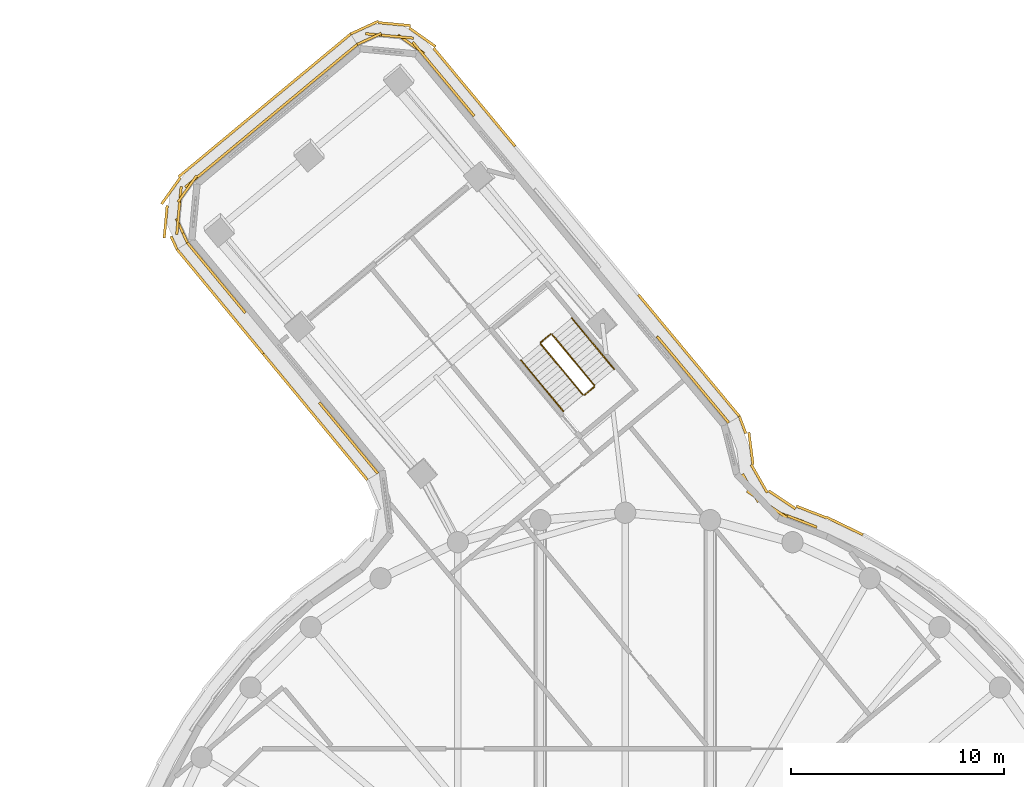
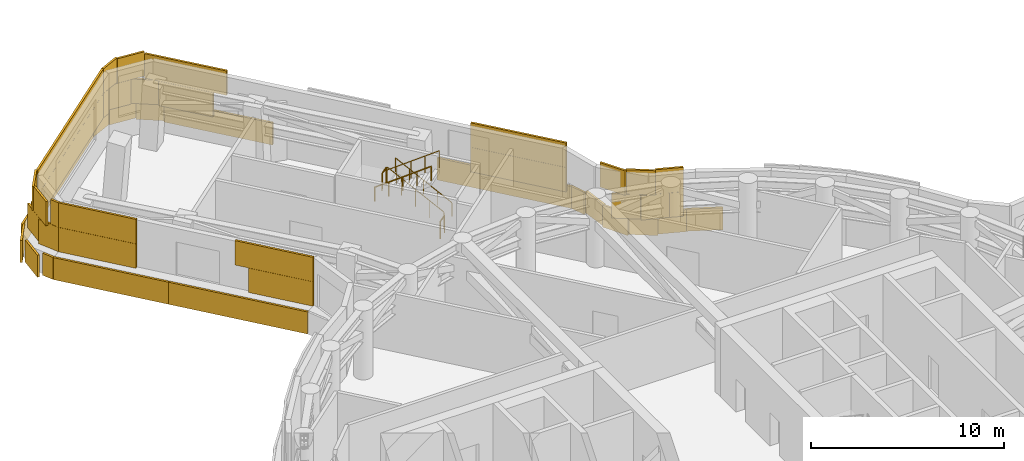
# One storey, part 21 of 22: 6 coverings, 6 railings.
"""IFC4 building model written with IfcOpenShell, lengths in metres."""

from ifc_helpers import new_model, si_unit, direction, frame, origin, origin_2d, place, context, subcontext, project, spatial, rectangle, circle, extrude, material, layer, layer_set, type_object, element, save


model = new_model("IFC4")

# Units and contexts
model_context = context("Model", 3, precision=1e-05, world=origin(), true_north=direction((0.0, 1.0)))
body_context = subcontext(model_context, "Body", "Model", "MODEL_VIEW")
ifc_project = project(units=[si_unit("LENGTHUNIT", "METRE"), si_unit("AREAUNIT", "SQUARE_METRE"), si_unit("VOLUMEUNIT", "CUBIC_METRE"), si_unit("PLANEANGLEUNIT", "RADIAN"), si_unit("MASSUNIT", "GRAM", prefix="KILO")], contexts=[model_context])

# Site, building, storey
site_placement = place(None, origin())
site = spatial("IfcSite", under=ifc_project, at=site_placement, CompositionType="ELEMENT")
building_placement = place(site_placement, origin())
building = spatial("IfcBuilding", under=site, at=building_placement, Name="Tamarind Cross Interchange Tower", CompositionType="ELEMENT")
storey_placement = place(building_placement, frame((0.0, 0.0, 178.0)))
storey = spatial("IfcBuildingStorey", under=building, at=storey_placement, Name="L44", CompositionType="ELEMENT", Elevation=178.0)

# Railings
ifc_material_1 = material(Name="Stair guard")
railing_type_1 = type_object("IfcRailingType", Name="Stair guard", PredefinedType="GUARDRAIL", material=ifc_material_1)
railing_1_placement = place(storey_placement, frame((-1.447021484375, 28.987060546875, 0.173095703125)))
element("IfcRailing", 1, at=railing_1_placement, inside=storey, type_object=railing_type_1, Name="L44 ST4 stair guard 1", PredefinedType="GUARDRAIL", context=body_context, shape_type="SweptSolid", body=[
    extrude(circle(Radius=0.02392578125, at=origin_2d()), frame((0.0, 0.0, 1.076171875), z_axis=(-0.531782577646, 0.640431933294, 0.554124741307), x_axis=(-0.769348930313, -0.638828790386, 0.0)), (0.0, 0.0, 1.0), 3.748046875),
    extrude(circle(Radius=0.02099609375, at=origin_2d()), origin(), (0.0, 0.0, 1.0), 1.052001953125),
    extrude(circle(Radius=0.02099609375, at=origin_2d()), frame((-0.498291015625, 0.60009765625, 0.519287109375)), (0.0, 0.0, 1.0), 1.052001953125),
    extrude(circle(Radius=0.02099609375, at=origin_2d()), frame((-0.99658203125, 1.2001953125, 1.03857421875)), (0.0, 0.0, 1.0), 1.052001953125),
    extrude(circle(Radius=0.02099609375, at=origin_2d()), frame((-1.494873046875, 1.80029296875, 1.5576171875)), (0.0, 0.0, 1.0), 1.052001953125),
    extrude(circle(Radius=0.02099609375, at=origin_2d()), frame((-1.9931640625, 2.400390625, 2.076904296875)), (0.0, 0.0, 1.0), 1.052001953125),
])
railing_2_placement = place(storey_placement, frame((-3.510498046875, 31.39404296875, 2.25)))
element("IfcRailing", 2, at=railing_2_placement, inside=storey, type_object=railing_type_1, Name="L44 ST4 stair guard 2", PredefinedType="GUARDRAIL", context=body_context, shape_type="SweptSolid", body=[
    extrude(circle(Radius=0.02392578125, at=origin_2d()), frame((0.0, 0.0, 1.076171875), z_axis=(-0.769387246707, -0.638782642692, 0.0), x_axis=(0.638782642692, -0.769387246707, 0.0)), (0.0, 0.0, 1.0), 0.60009765625),
    extrude(circle(Radius=0.02099609375, at=origin_2d()), origin(), (0.0, 0.0, 1.0), 1.052001953125),
    extrude(circle(Radius=0.02099609375, at=origin_2d()), frame((-0.461669921875, -0.38330078125, 0.0)), (0.0, 0.0, 1.0), 1.052001953125),
])
railing_3_placement = place(storey_placement, frame((-3.978759765625, 30.9404296875, 2.423095703125)))
element("IfcRailing", 3, at=railing_3_placement, inside=storey, type_object=railing_type_1, Name="L44 ST4 stair guard 3", PredefinedType="GUARDRAIL", context=body_context, shape_type="SweptSolid", body=[
    extrude(circle(Radius=0.02392578125, at=origin_2d()), frame((0.0, 0.0, 1.076171875), z_axis=(0.531760393991, -0.640470352047, 0.554101625635), x_axis=(0.769380861218, 0.638790333671, 0.0)), (0.0, 0.0, 1.0), 3.748291015625),
    extrude(circle(Radius=0.02099609375, at=origin_2d()), origin(), (0.0, 0.0, 1.0), 1.052001953125),
    extrude(circle(Radius=0.02099609375, at=origin_2d()), frame((0.498291015625, -0.60009765625, 0.519287109375)), (0.0, 0.0, 1.0), 1.052001953125),
    extrude(circle(Radius=0.02099609375, at=origin_2d()), frame((0.99658203125, -1.2001953125, 1.03857421875)), (0.0, 0.0, 1.0), 1.052001953125),
    extrude(circle(Radius=0.02099609375, at=origin_2d()), frame((1.494873046875, -1.800537109375, 1.5576171875)), (0.0, 0.0, 1.0), 1.052001953125),
    extrude(circle(Radius=0.02099609375, at=origin_2d()), frame((1.9931640625, -2.400634765625, 2.076904296875)), (0.0, 0.0, 1.0), 1.052001953125),
])
railing_4_placement = place(storey_placement, frame((-1.45361328125, 28.91650390625, 0.0)))
element("IfcRailing", 4, at=railing_4_placement, inside=storey, type_object=railing_type_1, Name="L44 ST4 stair guard 4", PredefinedType="GUARDRAIL", context=body_context, shape_type="SweptSolid", body=[
    extrude(circle(Radius=0.02392578125, at=origin_2d()), frame((0.0, 0.0, 1.076171875), z_axis=(-0.76958722484, -0.638541700568, 0.0), x_axis=(0.638541700568, -0.76958722484, 0.0)), (0.0, 0.0, 1.0), 0.599853515625),
    extrude(circle(Radius=0.02099609375, at=origin_2d()), origin(), (0.0, 0.0, 1.0), 1.052001953125),
    extrude(circle(Radius=0.02099609375, at=origin_2d()), frame((-0.461669921875, -0.383056640625, 0.0)), (0.0, 0.0, 1.0), 1.052001953125),
])
ifc_material_2 = material(Name="Stair handrail")
railing_type_2 = type_object("IfcRailingType", Name="Stair handrail", PredefinedType="HANDRAIL", material=ifc_material_2)
railing_5_placement = place(storey_placement, frame((-0.523681640625, 29.753662109375, 0.173095703125)))
element("IfcRailing", 5, at=railing_5_placement, inside=storey, type_object=railing_type_2, Name="L44 ST4 stair handrail 1", PredefinedType="HANDRAIL", context=body_context, shape_type="SweptSolid", body=[
    extrude(circle(Radius=0.02392578125, at=origin_2d()), frame((0.0, 0.0, 0.8759765625), z_axis=(-0.531782577646, 0.640431933294, 0.554124741307), x_axis=(-0.769348930313, -0.638828790386, 0.0)), (0.0, 0.0, 1.0), 3.748046875),
    extrude(circle(Radius=0.02099609375, at=origin_2d()), origin(), (0.0, 0.0, 1.0), 0.851806640625),
    extrude(circle(Radius=0.02099609375, at=origin_2d()), frame((-0.498291015625, 0.60009765625, 0.519287109375)), (0.0, 0.0, 1.0), 0.851806640625),
    extrude(circle(Radius=0.02099609375, at=origin_2d()), frame((-0.99658203125, 1.2001953125, 1.03857421875)), (0.0, 0.0, 1.0), 0.851806640625),
    extrude(circle(Radius=0.02099609375, at=origin_2d()), frame((-1.494873046875, 1.80029296875, 1.5576171875)), (0.0, 0.0, 1.0), 0.851806640625),
    extrude(circle(Radius=0.02099609375, at=origin_2d()), frame((-1.9931640625, 2.400390625, 2.076904296875)), (0.0, 0.0, 1.0), 0.851806640625),
])
railing_6_placement = place(storey_placement, frame((-4.90185546875, 30.173828125, 2.423095703125)))
element("IfcRailing", 6, at=railing_6_placement, inside=storey, type_object=railing_type_2, Name="L44 ST4 stair handrail 2", PredefinedType="HANDRAIL", context=body_context, shape_type="SweptSolid", body=[
    extrude(circle(Radius=0.02392578125, at=origin_2d()), frame((0.0, 0.0, 0.8759765625), z_axis=(0.531713674884, -0.640492535236, 0.554120817375), x_axis=(0.769419316944, 0.638744013446, 0.0)), (0.0, 0.0, 1.0), 3.748046875),
    extrude(circle(Radius=0.02099609375, at=origin_2d()), origin(), (0.0, 0.0, 1.0), 0.851806640625),
    extrude(circle(Radius=0.02099609375, at=origin_2d()), frame((0.498291015625, -0.60009765625, 0.519287109375)), (0.0, 0.0, 1.0), 0.851806640625),
    extrude(circle(Radius=0.02099609375, at=origin_2d()), frame((0.99658203125, -1.2001953125, 1.03857421875)), (0.0, 0.0, 1.0), 0.851806640625),
    extrude(circle(Radius=0.02099609375, at=origin_2d()), frame((1.49462890625, -1.800537109375, 1.5576171875)), (0.0, 0.0, 1.0), 0.851806640625),
    extrude(circle(Radius=0.02099609375, at=origin_2d()), frame((1.992919921875, -2.400634765625, 2.076904296875)), (0.0, 0.0, 1.0), 0.851806640625),
])

# Coverings
ifc_material_3 = material(Name="Terracotta", Category="masonry")
ifc_layer = layer(ifc_material_3, 0.1201171875)
ifc_layer_set = layer_set([ifc_layer], Name="Terracotta")
covering_type = type_object("IfcCoveringType", Name="Terracotta baguette screen unit", PredefinedType="MOLDING", material=ifc_layer_set)
covering_1_placement = place(storey_placement, origin())
element("IfcCovering", 7, at=covering_1_placement, inside=storey, type_object=covering_type, Name="SCR-L44-10-01", PredefinedType="MOLDING", context=body_context, shape_type="SweptSolid", body=[
    extrude(rectangle(XDim=0.718994140625, YDim=0.1201171875, at=origin_2d()), frame((8.674072265625, 22.450439453125, 1.404052734375), z_axis=(0.0, 0.0, 1.0), x_axis=(-0.932242228666, 0.361834806358, 0.0)), (0.0, 0.0, 1.0), 1.5419921875),
    extrude(rectangle(XDim=1.52001953125, YDim=0.1201171875, at=origin_2d()), frame((7.642578125, 22.845458984375, 1.404052734375), z_axis=(0.0, 0.0, 1.0), x_axis=(-0.942335122029, 0.334670760287, 0.0)), (0.0, 0.0, 1.0), 1.5419921875),
    extrude(rectangle(XDim=1.52001953125, YDim=0.1201171875, at=origin_2d()), frame((6.355712890625, 23.599853515625, 1.404052734375), z_axis=(0.0, 0.0, 1.0), x_axis=(-0.831951858346, 0.554847821834, 0.0)), (0.0, 0.0, 1.0), 1.5419921875),
    extrude(rectangle(XDim=1.468994140625, YDim=0.1201171875, at=origin_2d()), frame((8.324462890625, 22.586181640625, 2.9541015625), z_axis=(0.0, 0.0, 1.0), x_axis=(-0.932242228666, 0.361834806358, 0.0)), (0.0, 0.0, 1.0), 1.5419921875),
    extrude(rectangle(XDim=1.52001953125, YDim=0.1201171875, at=origin_2d()), frame((6.979736328125, 23.183837890625, 2.9541015625), z_axis=(0.0, 0.0, 1.0), x_axis=(-0.831951858346, 0.554847821834, 0.0)), (0.0, 0.0, 1.0), 1.5419921875),
    extrude(rectangle(XDim=1.52001953125, YDim=0.1201171875, at=origin_2d()), frame((5.890380859375, 24.1640625, 2.9541015625), z_axis=(0.0, 0.0, 1.0), x_axis=(-0.495708837866, 0.868488772559, 0.0)), (0.0, 0.0, 1.0), 1.5419921875),
    extrude(rectangle(XDim=0.40966796875, YDim=0.1201171875, at=origin_2d()), frame((10.990966796875, 22.05419921875, 0.00390625), z_axis=(0.0, 0.0, 1.0), x_axis=(-0.900272776334, 0.435326231914, 0.0)), (0.0, 0.0, 1.0), 1.39208984375),
    extrude(rectangle(XDim=1.52001953125, YDim=0.1201171875, at=origin_2d()), frame((10.14013671875, 22.465576171875, 0.00390625), z_axis=(0.0, 0.0, 1.0), x_axis=(-0.900272776334, 0.435326231914, 0.0)), (0.0, 0.0, 1.0), 1.39208984375),
    extrude(rectangle(XDim=1.52001953125, YDim=0.1201171875, at=origin_2d()), frame((8.753662109375, 23.035400390625, 0.00390625), z_axis=(0.0, 0.0, 1.0), x_axis=(-0.932242228666, 0.361834806358, 0.0)), (0.0, 0.0, 1.0), 1.39208984375),
    extrude(rectangle(XDim=1.52001953125, YDim=0.1201171875, at=origin_2d()), frame((7.3740234375, 23.610595703125, 0.00390625), z_axis=(0.0, 0.0, 1.0), x_axis=(-0.831951858346, 0.554847821834, 0.0)), (0.0, 0.0, 1.0), 1.39208984375),
    extrude(rectangle(XDim=1.52001953125, YDim=0.1201171875, at=origin_2d()), frame((6.299560546875, 24.604736328125, 0.00390625), z_axis=(0.0, 0.0, 1.0), x_axis=(-0.495708837866, 0.868488772559, 0.0)), (0.0, 0.0, 1.0), 1.39208984375),
    extrude(rectangle(XDim=1.52001953125, YDim=0.1201171875, at=origin_2d()), frame((5.9111328125, 26.0263671875, 0.00390625), z_axis=(0.0, 0.0, 1.0), x_axis=(-0.126822956995, 0.991925368956, 0.0)), (0.0, 0.0, 1.0), 1.39208984375),
    extrude(rectangle(XDim=0.856201171875, YDim=0.1201171875, at=origin_2d()), frame((5.5224609375, 27.12548828125, 0.00390625), z_axis=(0.0, 0.0, 1.0), x_axis=(-0.349918721817, 0.936780063901, 0.0)), (0.0, 0.0, 1.0), 1.39208984375),
])
covering_2_placement = place(storey_placement, origin())
element("IfcCovering", 8, at=covering_2_placement, inside=storey, type_object=covering_type, Name="SCR-L44-11-00", PredefinedType="MOLDING", context=body_context, shape_type="SweptSolid", body=[
    extrude(rectangle(XDim=1.510009765625, YDim=0.1201171875, at=origin_2d()), frame((4.389892578125, 27.811767578125, 1.404052734375), z_axis=(0.0, 0.0, 1.0), x_axis=(-0.638800045488, 0.769372797728, 0.0)), (0.0, 0.0, 1.0), 1.5419921875),
    extrude(rectangle(XDim=1.52001953125, YDim=0.1201171875, at=origin_2d()), frame((3.431640625, 28.9658203125, 1.404052734375), z_axis=(0.0, 0.0, 1.0), x_axis=(-0.638800045488, 0.769372797728, 0.0)), (0.0, 0.0, 1.0), 1.5419921875),
    extrude(rectangle(XDim=1.52001953125, YDim=0.1201171875, at=origin_2d()), frame((2.4736328125, 30.119873046875, 1.404052734375), z_axis=(0.0, 0.0, 1.0), x_axis=(-0.638800045488, 0.769372797728, 0.0)), (0.0, 0.0, 1.0), 1.5419921875),
    extrude(rectangle(XDim=0.786376953125, YDim=0.1201171875, at=origin_2d()), frame((1.746337890625, 30.99560546875, 1.404052734375), z_axis=(0.0, 0.0, 1.0), x_axis=(-0.638800045488, 0.769372797728, 0.0)), (0.0, 0.0, 1.0), 1.5419921875),
    extrude(rectangle(XDim=0.760009765625, YDim=0.1201171875, at=origin_2d()), frame((4.62939453125, 27.523193359375, 2.9541015625), z_axis=(0.0, 0.0, 1.0), x_axis=(-0.638800045488, 0.769372797728, 0.0)), (0.0, 0.0, 1.0), 1.5419921875),
    extrude(rectangle(XDim=1.52001953125, YDim=0.1201171875, at=origin_2d()), frame((3.910888671875, 28.388671875, 2.9541015625), z_axis=(0.0, 0.0, 1.0), x_axis=(-0.638800045488, 0.769372797728, 0.0)), (0.0, 0.0, 1.0), 1.5419921875),
    extrude(rectangle(XDim=1.52001953125, YDim=0.1201171875, at=origin_2d()), frame((2.95263671875, 29.542724609375, 2.9541015625), z_axis=(0.0, 0.0, 1.0), x_axis=(-0.638800045488, 0.769372797728, 0.0)), (0.0, 0.0, 1.0), 1.5419921875),
    extrude(rectangle(XDim=1.52001953125, YDim=0.1201171875, at=origin_2d()), frame((1.994384765625, 30.69677734375, 2.9541015625), z_axis=(0.0, 0.0, 1.0), x_axis=(-0.638800045488, 0.769372797728, 0.0)), (0.0, 0.0, 1.0), 1.5419921875),
    extrude(rectangle(XDim=1.510009765625, YDim=0.1201171875, at=origin_2d()), frame((4.890380859375, 28.107421875, 0.00390625), z_axis=(0.0, 0.0, 1.0), x_axis=(-0.638800045488, 0.769372797728, 0.0)), (0.0, 0.0, 1.0), 1.39208984375),
    extrude(rectangle(XDim=1.52001953125, YDim=0.1201171875, at=origin_2d()), frame((3.935302734375, 29.257568359375, 0.00390625), z_axis=(0.0, 0.0, 1.0), x_axis=(-0.638800045488, 0.769372797728, 0.0)), (0.0, 0.0, 1.0), 1.39208984375),
    extrude(rectangle(XDim=1.52001953125, YDim=0.1201171875, at=origin_2d()), frame((2.977294921875, 30.41162109375, 0.00390625), z_axis=(0.0, 0.0, 1.0), x_axis=(-0.638800045488, 0.769372797728, 0.0)), (0.0, 0.0, 1.0), 1.39208984375),
    extrude(rectangle(XDim=1.52001953125, YDim=0.1201171875, at=origin_2d()), frame((2.01904296875, 31.565673828125, 0.00390625), z_axis=(0.0, 0.0, 1.0), x_axis=(-0.638800045488, 0.769372797728, 0.0)), (0.0, 0.0, 1.0), 1.39208984375),
    extrude(rectangle(XDim=1.4423828125, YDim=0.1201171875, at=origin_2d()), frame((1.085693359375, 32.68994140625, 0.00390625), z_axis=(0.0, 0.0, 1.0), x_axis=(-0.638800045488, 0.769372797728, 0.0)), (0.0, 0.0, 1.0), 1.39208984375),
])
covering_3_placement = place(storey_placement, origin())
element("IfcCovering", 9, at=covering_3_placement, inside=storey, type_object=covering_type, Name="SCR-L44-11-02", PredefinedType="MOLDING", context=body_context, shape_type="SweptSolid", body=[
    extrude(rectangle(XDim=1.52001953125, YDim=0.1201171875, at=origin_2d()), frame((-8.066650390625, 42.814453125, 1.404052734375), z_axis=(0.0, 0.0, 1.0), x_axis=(-0.638800045488, 0.769372797728, 0.0)), (0.0, 0.0, 1.0), 1.5419921875),
    extrude(rectangle(XDim=1.52001953125, YDim=0.1201171875, at=origin_2d()), frame((-9.02490234375, 43.968505859375, 1.404052734375), z_axis=(0.0, 0.0, 1.0), x_axis=(-0.638800045488, 0.769372797728, 0.0)), (0.0, 0.0, 1.0), 1.5419921875),
    extrude(rectangle(XDim=1.52001953125, YDim=0.1201171875, at=origin_2d()), frame((-10.069091796875, 45.02978515625, 1.404052734375), z_axis=(0.0, 0.0, 1.0), x_axis=(-0.816161794608, 0.577823437585, 0.0)), (0.0, 0.0, 1.0), 1.5419921875),
    extrude(rectangle(XDim=1.52001953125, YDim=0.1201171875, at=origin_2d()), frame((-11.457275390625, 45.453125, 1.404052734375), z_axis=(0.0, 0.0, 1.0), x_axis=(-0.995728566521, 0.092328878547, 0.0)), (0.0, 0.0, 1.0), 1.5419921875),
    extrude(rectangle(XDim=0.50146484375, YDim=0.1201171875, at=origin_2d()), frame((-12.376708984375, 45.1240234375, 1.404052734375), z_axis=(0.0, 0.0, 1.0), x_axis=(-0.908490673155, -0.417905128936, 0.0)), (0.0, 0.0, 1.0), 1.5419921875),
    extrude(rectangle(XDim=1.52001953125, YDim=0.1201171875, at=origin_2d()), frame((-7.587646484375, 42.237548828125, 2.9541015625), z_axis=(0.0, 0.0, 1.0), x_axis=(-0.638800045488, 0.769372797728, 0.0)), (0.0, 0.0, 1.0), 1.5419921875),
    extrude(rectangle(XDim=1.52001953125, YDim=0.1201171875, at=origin_2d()), frame((-8.5458984375, 43.3916015625, 2.9541015625), z_axis=(0.0, 0.0, 1.0), x_axis=(-0.638800045488, 0.769372797728, 0.0)), (0.0, 0.0, 1.0), 1.5419921875),
    extrude(rectangle(XDim=1.52001953125, YDim=0.1201171875, at=origin_2d()), frame((-9.50390625, 44.545654296875, 2.9541015625), z_axis=(0.0, 0.0, 1.0), x_axis=(-0.638800045488, 0.769372797728, 0.0)), (0.0, 0.0, 1.0), 1.5419921875),
    extrude(rectangle(XDim=1.52001953125, YDim=0.1201171875, at=origin_2d()), frame((-10.71044921875, 45.384033203125, 2.9541015625), z_axis=(0.0, 0.0, 1.0), x_axis=(-0.995728566521, 0.092328878547, 0.0)), (0.0, 0.0, 1.0), 1.5419921875),
    extrude(rectangle(XDim=1.25146484375, YDim=0.1201171875, at=origin_2d()), frame((-12.0361328125, 45.28076171875, 2.9541015625), z_axis=(0.0, 0.0, 1.0), x_axis=(-0.908490673155, -0.417905128936, 0.0)), (0.0, 0.0, 1.0), 1.5419921875),
    extrude(rectangle(XDim=1.49853515625, YDim=0.1201171875, at=origin_2d()), frame((-5.6533203125, 40.806396484375, 0.00390625), z_axis=(0.0, 0.0, 1.0), x_axis=(-0.638800045488, 0.769372797728, 0.0)), (0.0, 0.0, 1.0), 1.39208984375),
    extrude(rectangle(XDim=1.52001953125, YDim=0.1201171875, at=origin_2d()), frame((-6.604736328125, 41.952392578125, 0.00390625), z_axis=(0.0, 0.0, 1.0), x_axis=(-0.638800045488, 0.769372797728, 0.0)), (0.0, 0.0, 1.0), 1.39208984375),
    extrude(rectangle(XDim=1.52001953125, YDim=0.1201171875, at=origin_2d()), frame((-7.56298828125, 43.1064453125, 0.00390625), z_axis=(0.0, 0.0, 1.0), x_axis=(-0.638800045488, 0.769372797728, 0.0)), (0.0, 0.0, 1.0), 1.39208984375),
    extrude(rectangle(XDim=1.52001953125, YDim=0.1201171875, at=origin_2d()), frame((-8.521240234375, 44.260498046875, 0.00390625), z_axis=(0.0, 0.0, 1.0), x_axis=(-0.638800045488, 0.769372797728, 0.0)), (0.0, 0.0, 1.0), 1.39208984375),
    extrude(rectangle(XDim=1.52001953125, YDim=0.1201171875, at=origin_2d()), frame((-9.53466796875, 45.354736328125, 0.00390625), z_axis=(0.0, 0.0, 1.0), x_axis=(-0.816161794608, 0.577823437585, 0.0)), (0.0, 0.0, 1.0), 1.39208984375),
    extrude(rectangle(XDim=1.52001953125, YDim=0.1201171875, at=origin_2d()), frame((-10.8505859375, 45.973388671875, 0.00390625), z_axis=(0.0, 0.0, 1.0), x_axis=(-0.995728566521, 0.092328878547, 0.0)), (0.0, 0.0, 1.0), 1.39208984375),
    extrude(rectangle(XDim=1.440673828125, YDim=0.1201171875, at=origin_2d()), frame((-12.254150390625, 45.812255859375, 0.00390625), z_axis=(0.0, 0.0, 1.0), x_axis=(-0.908490673155, -0.417905128936, 0.0)), (0.0, 0.0, 1.0), 1.39208984375),
])
covering_4_placement = place(storey_placement, origin())
element("IfcCovering", 10, at=covering_4_placement, inside=storey, type_object=covering_type, Name="SCR-L44-12-00", PredefinedType="MOLDING", context=body_context, shape_type="SweptSolid", body=[
    extrude(rectangle(XDim=1.510009765625, YDim=0.1201171875, at=origin_2d()), frame((-13.177001953125, 44.542236328125, 1.404052734375), z_axis=(0.0, 0.0, 1.0), x_axis=(-0.769372797728, -0.638800045488, 0.0)), (0.0, 0.0, 1.0), 1.5419921875),
    extrude(rectangle(XDim=1.52001953125, YDim=0.1201171875, at=origin_2d()), frame((-14.3310546875, 43.583984375, 1.404052734375), z_axis=(0.0, 0.0, 1.0), x_axis=(-0.769372797728, -0.638800045488, 0.0)), (0.0, 0.0, 1.0), 1.5419921875),
    extrude(rectangle(XDim=1.52001953125, YDim=0.1201171875, at=origin_2d()), frame((-15.485107421875, 42.625732421875, 1.404052734375), z_axis=(0.0, 0.0, 1.0), x_axis=(-0.769372797728, -0.638800045488, 0.0)), (0.0, 0.0, 1.0), 1.5419921875),
    extrude(rectangle(XDim=1.52001953125, YDim=0.1201171875, at=origin_2d()), frame((-16.63916015625, 41.66748046875, 1.404052734375), z_axis=(0.0, 0.0, 1.0), x_axis=(-0.769372797728, -0.638800045488, 0.0)), (0.0, 0.0, 1.0), 1.5419921875),
    extrude(rectangle(XDim=1.52001953125, YDim=0.1201171875, at=origin_2d()), frame((-17.793212890625, 40.70947265625, 1.404052734375), z_axis=(0.0, 0.0, 1.0), x_axis=(-0.769372797728, -0.638800045488, 0.0)), (0.0, 0.0, 1.0), 1.5419921875),
    extrude(rectangle(XDim=1.52001953125, YDim=0.1201171875, at=origin_2d()), frame((-18.947265625, 39.751220703125, 1.404052734375), z_axis=(0.0, 0.0, 1.0), x_axis=(-0.769372797728, -0.638800045488, 0.0)), (0.0, 0.0, 1.0), 1.5419921875),
    extrude(rectangle(XDim=1.52001953125, YDim=0.1201171875, at=origin_2d()), frame((-20.101318359375, 38.79296875, 1.404052734375), z_axis=(0.0, 0.0, 1.0), x_axis=(-0.769372797728, -0.638800045488, 0.0)), (0.0, 0.0, 1.0), 1.5419921875),
    extrude(rectangle(XDim=1.52001953125, YDim=0.1201171875, at=origin_2d()), frame((-20.9453125, 37.58935546875, 1.404052734375), z_axis=(0.0, 0.0, 1.0), x_axis=(-0.092328878547, -0.995728566521, 0.0)), (0.0, 0.0, 1.0), 1.5419921875),
    extrude(rectangle(XDim=1.259521484375, YDim=0.1201171875, at=origin_2d()), frame((-20.844482421875, 36.259521484375, 1.404052734375), z_axis=(0.0, 0.0, 1.0), x_axis=(0.417905128936, -0.908490673155, 0.0)), (0.0, 0.0, 1.0), 1.5419921875),
    extrude(rectangle(XDim=0.760009765625, YDim=0.1201171875, at=origin_2d()), frame((-12.888671875, 44.78173828125, 2.9541015625), z_axis=(0.0, 0.0, 1.0), x_axis=(-0.769372797728, -0.638800045488, 0.0)), (0.0, 0.0, 1.0), 1.5419921875),
    extrude(rectangle(XDim=1.52001953125, YDim=0.1201171875, at=origin_2d()), frame((-13.754150390625, 44.06298828125, 2.9541015625), z_axis=(0.0, 0.0, 1.0), x_axis=(-0.769372797728, -0.638800045488, 0.0)), (0.0, 0.0, 1.0), 1.5419921875),
    extrude(rectangle(XDim=1.52001953125, YDim=0.1201171875, at=origin_2d()), frame((-14.908203125, 43.10498046875, 2.9541015625), z_axis=(0.0, 0.0, 1.0), x_axis=(-0.769372797728, -0.638800045488, 0.0)), (0.0, 0.0, 1.0), 1.5419921875),
    extrude(rectangle(XDim=1.52001953125, YDim=0.1201171875, at=origin_2d()), frame((-16.062255859375, 42.146728515625, 2.9541015625), z_axis=(0.0, 0.0, 1.0), x_axis=(-0.769372797728, -0.638800045488, 0.0)), (0.0, 0.0, 1.0), 1.5419921875),
    extrude(rectangle(XDim=1.52001953125, YDim=0.1201171875, at=origin_2d()), frame((-17.21630859375, 41.1884765625, 2.9541015625), z_axis=(0.0, 0.0, 1.0), x_axis=(-0.769372797728, -0.638800045488, 0.0)), (0.0, 0.0, 1.0), 1.5419921875),
    extrude(rectangle(XDim=1.52001953125, YDim=0.1201171875, at=origin_2d()), frame((-18.370361328125, 40.230224609375, 2.9541015625), z_axis=(0.0, 0.0, 1.0), x_axis=(-0.769372797728, -0.638800045488, 0.0)), (0.0, 0.0, 1.0), 1.5419921875),
    extrude(rectangle(XDim=1.52001953125, YDim=0.1201171875, at=origin_2d()), frame((-19.5244140625, 39.27197265625, 2.9541015625), z_axis=(0.0, 0.0, 1.0), x_axis=(-0.769372797728, -0.638800045488, 0.0)), (0.0, 0.0, 1.0), 1.5419921875),
    extrude(rectangle(XDim=1.52001953125, YDim=0.1201171875, at=origin_2d()), frame((-20.587158203125, 38.2294921875, 2.9541015625), z_axis=(0.0, 0.0, 1.0), x_axis=(-0.577823437585, -0.816161794608, 0.0)), (0.0, 0.0, 1.0), 1.5419921875),
    extrude(rectangle(XDim=1.52001953125, YDim=0.1201171875, at=origin_2d()), frame((-21.0146484375, 36.842529296875, 2.9541015625), z_axis=(0.0, 0.0, 1.0), x_axis=(-0.092328878547, -0.995728566521, 0.0)), (0.0, 0.0, 1.0), 1.5419921875),
    extrude(rectangle(XDim=0.509521484375, YDim=0.1201171875, at=origin_2d()), frame((-20.687744140625, 35.918701171875, 2.9541015625), z_axis=(0.0, 0.0, 1.0), x_axis=(0.417905128936, -0.908490673155, 0.0)), (0.0, 0.0, 1.0), 1.5419921875),
    extrude(rectangle(XDim=1.510009765625, YDim=0.1201171875, at=origin_2d()), frame((-13.489501953125, 45.02880859375, 0.00390625), z_axis=(0.0, 0.0, 1.0), x_axis=(-0.769372797728, -0.638800045488, 0.0)), (0.0, 0.0, 1.0), 1.39208984375),
    extrude(rectangle(XDim=1.52001953125, YDim=0.1201171875, at=origin_2d()), frame((-14.6396484375, 44.073974609375, 0.00390625), z_axis=(0.0, 0.0, 1.0), x_axis=(-0.769372797728, -0.638800045488, 0.0)), (0.0, 0.0, 1.0), 1.39208984375),
    extrude(rectangle(XDim=1.52001953125, YDim=0.1201171875, at=origin_2d()), frame((-15.793701171875, 43.11572265625, 0.00390625), z_axis=(0.0, 0.0, 1.0), x_axis=(-0.769372797728, -0.638800045488, 0.0)), (0.0, 0.0, 1.0), 1.39208984375),
    extrude(rectangle(XDim=1.52001953125, YDim=0.1201171875, at=origin_2d()), frame((-16.94775390625, 42.157470703125, 0.00390625), z_axis=(0.0, 0.0, 1.0), x_axis=(-0.769372797728, -0.638800045488, 0.0)), (0.0, 0.0, 1.0), 1.39208984375),
    extrude(rectangle(XDim=1.52001953125, YDim=0.1201171875, at=origin_2d()), frame((-18.101806640625, 41.19921875, 0.00390625), z_axis=(0.0, 0.0, 1.0), x_axis=(-0.769372797728, -0.638800045488, 0.0)), (0.0, 0.0, 1.0), 1.39208984375),
    extrude(rectangle(XDim=1.52001953125, YDim=0.1201171875, at=origin_2d()), frame((-19.255859375, 40.240966796875, 0.00390625), z_axis=(0.0, 0.0, 1.0), x_axis=(-0.769372797728, -0.638800045488, 0.0)), (0.0, 0.0, 1.0), 1.39208984375),
    extrude(rectangle(XDim=1.52001953125, YDim=0.1201171875, at=origin_2d()), frame((-20.409912109375, 39.282958984375, 0.00390625), z_axis=(0.0, 0.0, 1.0), x_axis=(-0.769372797728, -0.638800045488, 0.0)), (0.0, 0.0, 1.0), 1.39208984375),
    extrude(rectangle(XDim=1.52001953125, YDim=0.1201171875, at=origin_2d()), frame((-21.358154296875, 38.134033203125, 0.00390625), z_axis=(0.0, 0.0, 1.0), x_axis=(-0.577823437585, -0.816161794608, 0.0)), (0.0, 0.0, 1.0), 1.39208984375),
    extrude(rectangle(XDim=1.52001953125, YDim=0.1201171875, at=origin_2d()), frame((-21.60595703125, 36.680908203125, 0.00390625), z_axis=(0.0, 0.0, 1.0), x_axis=(-0.092328878547, -0.995728566521, 0.0)), (0.0, 0.0, 1.0), 1.39208984375),
    extrude(rectangle(XDim=0.67626953125, YDim=0.1201171875, at=origin_2d()), frame((-21.21484375, 35.691162109375, 0.00390625), z_axis=(0.0, 0.0, 1.0), x_axis=(0.417905128936, -0.908490673155, 0.0)), (0.0, 0.0, 1.0), 1.39208984375),
])
covering_5_placement = place(storey_placement, origin())
element("IfcCovering", 11, at=covering_5_placement, inside=storey, type_object=covering_type, Name="SCR-L44-13-00", PredefinedType="MOLDING", context=body_context, shape_type="SweptSolid", body=[
    extrude(rectangle(XDim=1.510009765625, YDim=0.1201171875, at=origin_2d()), frame((-20.10595703125, 35.113525390625, 1.404052734375), z_axis=(0.0, 0.0, 1.0), x_axis=(0.636559824639, -0.771227326834, 0.0)), (0.0, 0.0, 1.0), 1.5419921875),
    extrude(rectangle(XDim=1.52001953125, YDim=0.1201171875, at=origin_2d()), frame((-19.151123046875, 33.95654296875, 1.404052734375), z_axis=(0.0, 0.0, 1.0), x_axis=(0.636559824639, -0.771227326834, 0.0)), (0.0, 0.0, 1.0), 1.5419921875),
    extrude(rectangle(XDim=1.2802734375, YDim=0.1201171875, at=origin_2d()), frame((-18.26953125, 32.888427734375, 1.404052734375), z_axis=(0.0, 0.0, 1.0), x_axis=(0.636559824639, -0.771227326834, 0.0)), (0.0, 0.0, 1.0), 1.5419921875),
    extrude(rectangle(XDim=0.760009765625, YDim=0.1201171875, at=origin_2d()), frame((-20.3447265625, 35.402587890625, 2.9541015625), z_axis=(0.0, 0.0, 1.0), x_axis=(0.636559824639, -0.771227326834, 0.0)), (0.0, 0.0, 1.0), 1.5419921875),
    extrude(rectangle(XDim=1.52001953125, YDim=0.1201171875, at=origin_2d()), frame((-19.628662109375, 34.534912109375, 2.9541015625), z_axis=(0.0, 0.0, 1.0), x_axis=(0.636559824639, -0.771227326834, 0.0)), (0.0, 0.0, 1.0), 1.5419921875),
    extrude(rectangle(XDim=1.52001953125, YDim=0.1201171875, at=origin_2d()), frame((-18.673828125, 33.378173828125, 2.9541015625), z_axis=(0.0, 0.0, 1.0), x_axis=(0.636559824639, -0.771227326834, 0.0)), (0.0, 0.0, 1.0), 1.5419921875),
    extrude(rectangle(XDim=0.5302734375, YDim=0.1201171875, at=origin_2d()), frame((-18.03076171875, 32.59912109375, 2.9541015625), z_axis=(0.0, 0.0, 1.0), x_axis=(0.636559824639, -0.771227326834, 0.0)), (0.0, 0.0, 1.0), 1.5419921875),
    extrude(rectangle(XDim=1.510009765625, YDim=0.1201171875, at=origin_2d()), frame((-20.593017578125, 34.8017578125, 0.00390625), z_axis=(0.0, 0.0, 1.0), x_axis=(0.636559824639, -0.771227326834, 0.0)), (0.0, 0.0, 1.0), 1.39208984375),
    extrude(rectangle(XDim=1.52001953125, YDim=0.1201171875, at=origin_2d()), frame((-19.641357421875, 33.64892578125, 0.00390625), z_axis=(0.0, 0.0, 1.0), x_axis=(0.636559824639, -0.771227326834, 0.0)), (0.0, 0.0, 1.0), 1.39208984375),
    extrude(rectangle(XDim=1.52001953125, YDim=0.1201171875, at=origin_2d()), frame((-18.6865234375, 32.491943359375, 0.00390625), z_axis=(0.0, 0.0, 1.0), x_axis=(0.636559824639, -0.771227326834, 0.0)), (0.0, 0.0, 1.0), 1.39208984375),
    extrude(rectangle(XDim=1.52001953125, YDim=0.1201171875, at=origin_2d()), frame((-17.731689453125, 31.335205078125, 0.00390625), z_axis=(0.0, 0.0, 1.0), x_axis=(0.636559824639, -0.771227326834, 0.0)), (0.0, 0.0, 1.0), 1.39208984375),
    extrude(rectangle(XDim=0.376708984375, YDim=0.1201171875, at=origin_2d()), frame((-17.140625, 30.619140625, 0.00390625), z_axis=(0.0, 0.0, 1.0), x_axis=(0.636559824639, -0.771227326834, 0.0)), (0.0, 0.0, 1.0), 1.39208984375),
])
covering_6_placement = place(storey_placement, origin())
element("IfcCovering", 12, at=covering_6_placement, inside=storey, type_object=covering_type, Name="SCR-L44-13-01", PredefinedType="MOLDING", context=body_context, shape_type="SweptSolid", body=[
    extrude(rectangle(XDim=1.52001953125, YDim=0.1201171875, at=origin_2d()), frame((-13.422119140625, 27.015625, 1.404052734375), z_axis=(0.0, 0.0, 1.0), x_axis=(0.636559824639, -0.771227326834, 0.0)), (0.0, 0.0, 1.0), 1.5419921875),
    extrude(rectangle(XDim=1.52001953125, YDim=0.1201171875, at=origin_2d()), frame((-12.46728515625, 25.858642578125, 1.404052734375), z_axis=(0.0, 0.0, 1.0), x_axis=(0.636559824639, -0.771227326834, 0.0)), (0.0, 0.0, 1.0), 1.5419921875),
    extrude(rectangle(XDim=0.570556640625, YDim=0.1201171875, at=origin_2d()), frame((-11.8115234375, 25.064208984375, 1.404052734375), z_axis=(0.0, 0.0, 1.0), x_axis=(0.636559824639, -0.771227326834, 0.0)), (0.0, 0.0, 1.0), 1.5419921875),
    extrude(rectangle(XDim=1.52001953125, YDim=0.1201171875, at=origin_2d()), frame((-13.899658203125, 27.593994140625, 2.9541015625), z_axis=(0.0, 0.0, 1.0), x_axis=(0.636559824639, -0.771227326834, 0.0)), (0.0, 0.0, 1.0), 1.5419921875),
    extrude(rectangle(XDim=1.52001953125, YDim=0.1201171875, at=origin_2d()), frame((-12.944580078125, 26.43701171875, 2.9541015625), z_axis=(0.0, 0.0, 1.0), x_axis=(0.636559824639, -0.771227326834, 0.0)), (0.0, 0.0, 1.0), 1.5419921875),
    extrude(rectangle(XDim=1.320556640625, YDim=0.1201171875, at=origin_2d()), frame((-12.050048828125, 25.353271484375, 2.9541015625), z_axis=(0.0, 0.0, 1.0), x_axis=(0.636559824639, -0.771227326834, 0.0)), (0.0, 0.0, 1.0), 1.5419921875),
    extrude(rectangle(XDim=1.14306640625, YDim=0.1201171875, at=origin_2d()), frame((-16.656982421875, 30.032958984375, 0.00390625), z_axis=(0.0, 0.0, 1.0), x_axis=(0.636559824639, -0.771227326834, 0.0)), (0.0, 0.0, 1.0), 1.39208984375),
    extrude(rectangle(XDim=1.52001953125, YDim=0.1201171875, at=origin_2d()), frame((-15.822021484375, 29.021484375, 0.00390625), z_axis=(0.0, 0.0, 1.0), x_axis=(0.636559824639, -0.771227326834, 0.0)), (0.0, 0.0, 1.0), 1.39208984375),
    extrude(rectangle(XDim=1.52001953125, YDim=0.1201171875, at=origin_2d()), frame((-14.8671875, 27.86474609375, 0.00390625), z_axis=(0.0, 0.0, 1.0), x_axis=(0.636559824639, -0.771227326834, 0.0)), (0.0, 0.0, 1.0), 1.39208984375),
    extrude(rectangle(XDim=1.52001953125, YDim=0.1201171875, at=origin_2d()), frame((-13.912353515625, 26.707763671875, 0.00390625), z_axis=(0.0, 0.0, 1.0), x_axis=(0.636559824639, -0.771227326834, 0.0)), (0.0, 0.0, 1.0), 1.39208984375),
    extrude(rectangle(XDim=1.52001953125, YDim=0.1201171875, at=origin_2d()), frame((-12.95751953125, 25.551025390625, 0.00390625), z_axis=(0.0, 0.0, 1.0), x_axis=(0.636559824639, -0.771227326834, 0.0)), (0.0, 0.0, 1.0), 1.39208984375),
    extrude(rectangle(XDim=0.56298828125, YDim=0.1201171875, at=origin_2d()), frame((-12.307373046875, 24.76318359375, 0.00390625), z_axis=(0.0, 0.0, 1.0), x_axis=(0.636559824639, -0.771227326834, 0.0)), (0.0, 0.0, 1.0), 1.39208984375),
])

save(model, "model.ifc")
